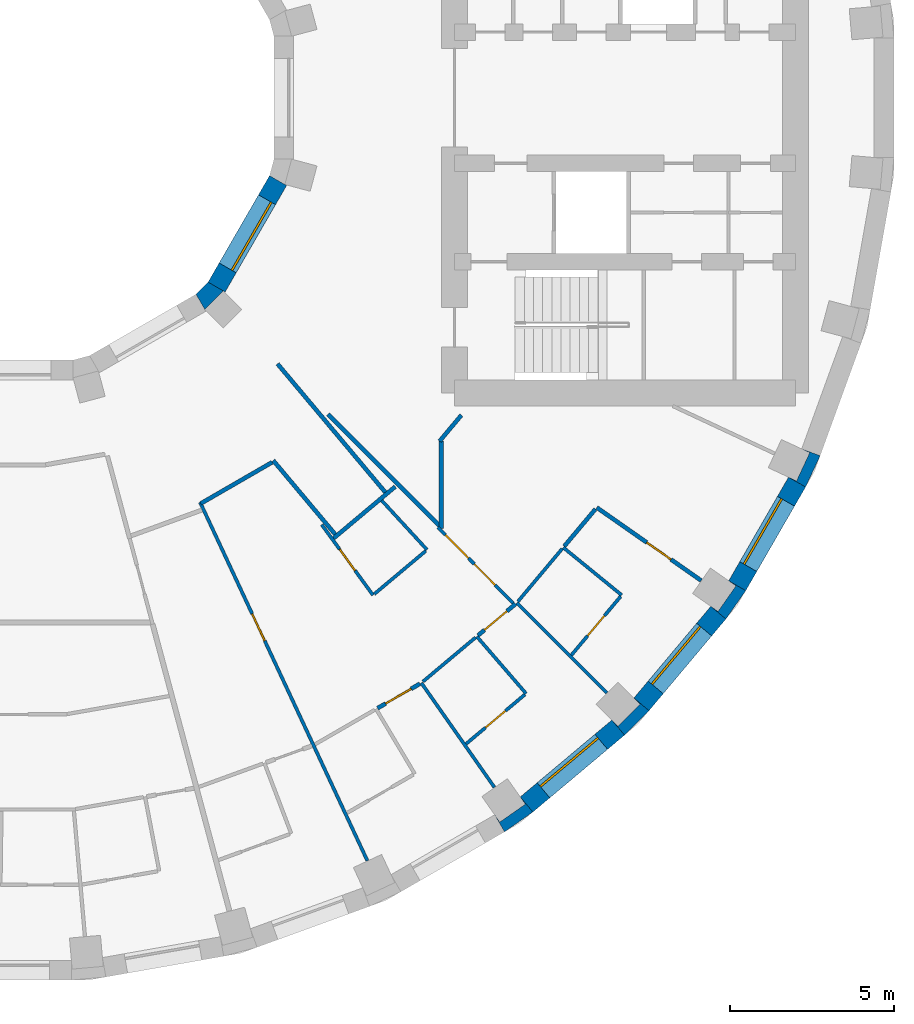
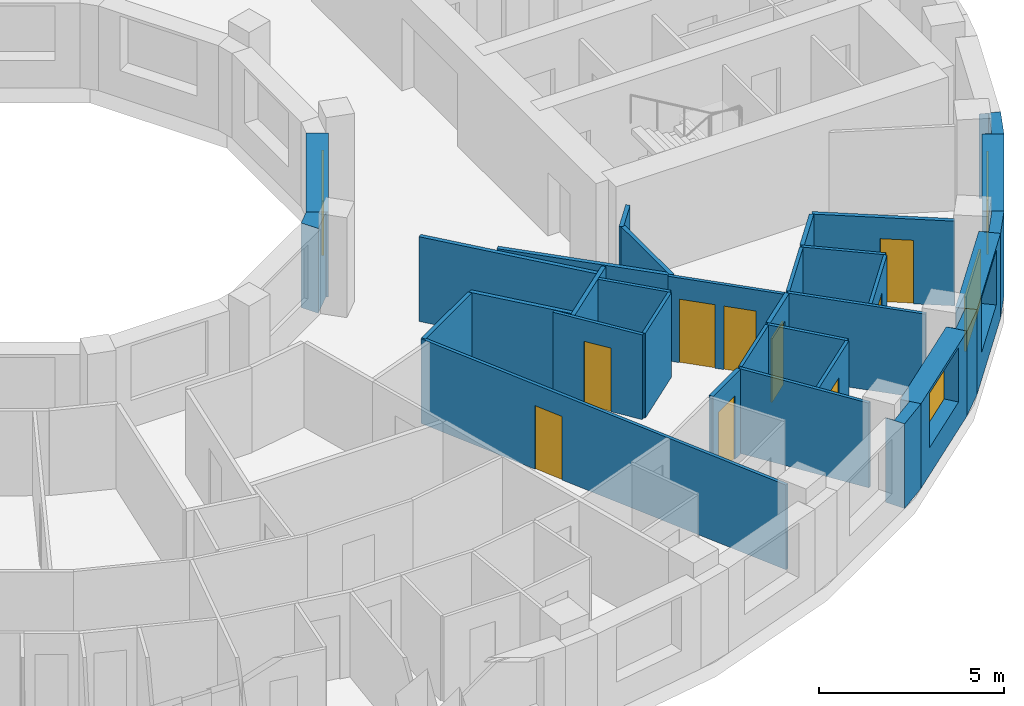
# One storey, part 8 of 16: 33 walls, 9 doors, 4 windows, 13 openings.
"""IFC4 building model written with IfcOpenShell, lengths in metres."""

from ifc_helpers import new_model, si_unit, direction, frame, frame_2d, origin, place, context, subcontext, project, spatial, polyline, rectangle, outline, extrude, material, layer, layer_set, type_object, element, fill, save


model = new_model("IFC4")

# Units and contexts
model_context = context("Model", 3, precision=1e-05, world=origin(), true_north=direction((0.0, 1.0)))
body_context = subcontext(model_context, "Body", "Model", "MODEL_VIEW")
ifc_project = project(units=[si_unit("LENGTHUNIT", "METRE"), si_unit("AREAUNIT", "SQUARE_METRE"), si_unit("VOLUMEUNIT", "CUBIC_METRE"), si_unit("PLANEANGLEUNIT", "RADIAN"), si_unit("MASSUNIT", "GRAM", prefix="KILO")], contexts=[model_context])

# Site, building, storey
site_placement = place(None, origin())
site = spatial("IfcSite", under=ifc_project, at=site_placement, CompositionType="ELEMENT")
building_placement = place(site_placement, origin())
building = spatial("IfcBuilding", under=site, at=building_placement, Name="Saqina Gate Tower", CompositionType="ELEMENT")
storey_placement = place(building_placement, frame((0.0, 0.0, 121.60009765625)))
storey = spatial("IfcBuildingStorey", under=building, at=storey_placement, Name="L34", CompositionType="ELEMENT", Elevation=121.60009765625)

# Walls
ifc_material_1 = material(Name="Brick masonry (buff)", Category="masonry")
wall_type_1 = type_object("IfcWallType", Name="BRICK PIER COPING BUFF", PredefinedType="SOLIDWALL", material=ifc_material_1)
wall_1_placement = place(storey_placement, origin())
element("IfcWall", 1, at=wall_1_placement, inside=storey, type_object=wall_type_1, Name="Pier cap L34 column 31", PredefinedType="SOLIDWALL", context=body_context, shape_type="SweptSolid", body=[
    extrude(outline(polyline([(15.89208984375, -21.77685546875), (15.50634765625, -21.317138671875), (15.66064453125, -21.53759765625), (14.88232421875, -22.08251953125), (14.728271484375, -21.862060546875), (15.0283203125, -22.3818359375), (15.89208984375, -21.77685546875)])), origin(), (0.0, 0.0, 1.0), 2.7998046875),
])
wall_2_placement = place(storey_placement, origin())
element("IfcWall", 2, at=wall_2_placement, inside=storey, type_object=wall_type_1, Name="Pier cap L34 column 32", PredefinedType="SOLIDWALL", context=body_context, shape_type="SweptSolid", body=[
    extrude(outline(polyline([(18.686279296875, -19.43212890625), (19.43212890625, -18.686279296875), (18.972412109375, -18.30078125), (19.16259765625, -18.49072265625), (18.49072265625, -19.16259765625), (18.30078125, -18.972412109375), (18.686279296875, -19.43212890625)])), origin(), (0.0, 0.0, 1.0), 2.7998046875),
])
wall_3_placement = place(storey_placement, origin())
element("IfcWall", 3, at=wall_3_placement, inside=storey, type_object=wall_type_1, Name="Pier cap L34 column 33", PredefinedType="SOLIDWALL", context=body_context, shape_type="SweptSolid", body=[
    extrude(outline(polyline([(22.3818359375, -15.0283203125), (21.862060546875, -14.728271484375), (22.08251953125, -14.88232421875), (21.53759765625, -15.66064453125), (21.317138671875, -15.50634765625), (21.77685546875, -15.89208984375), (22.3818359375, -15.0283203125)])), origin(), (0.0, 0.0, 1.0), 2.7998046875),
])
wall_4_placement = place(storey_placement, origin())
element("IfcWall", 4, at=wall_4_placement, inside=storey, type_object=wall_type_1, Name="Pier cap L34 column 34", PredefinedType="SOLIDWALL", context=body_context, shape_type="SweptSolid", body=[
    extrude(outline(polyline([(24.6513671875, -10.913330078125), (24.08740234375, -10.7080078125), (24.331298828125, -10.82177734375), (23.9296875, -11.6826171875), (23.68603515625, -11.569091796875), (24.205810546875, -11.869140625), (24.6513671875, -10.913330078125)])), origin(), (0.0, 0.0, 1.0), 2.7998046875),
])

# Wall, opening, window
ifc_material_2 = material(Name="Brick masonry (buff)", Category="masonry")
ifc_layer_1 = layer(ifc_material_2, 0.60009765625)
ifc_layer_set_1 = layer_set([ifc_layer_1], Name="FW-BRICK-BUFF")
wall_type_2 = type_object("IfcWallType", Name="FW-BRICK-BUFF", PredefinedType="SOLIDWALL", material=ifc_layer_set_1)
wall_5_placement = place(storey_placement, frame((15.69921875, -21.547119140625, 0.0), z_axis=(0.0, 0.0, 1.0), x_axis=(0.766055462616, 0.642774476932, 0.0)))
wall_5 = element("IfcWall", 5, at=wall_5_placement, inside=storey, type_object=wall_type_2, Name="Facade wall L34 facet 31", PredefinedType="SOLIDWALL", context=body_context, shape_type="SweptSolid", body=[
    extrude(rectangle(XDim=3.647705078125, YDim=0.60009765625, at=frame_2d((1.82373046875, 0.0))), origin(), (0.0, 0.0, 1.0), 2.7998046875),
])
opening_1_placement = place(wall_5_placement, frame((0.673828125, 0.0, 0.89990234375)))
opening_1 = element("IfcOpeningElement", 6, at=opening_1_placement, cuts=wall_5, Name="Opening G10-W20", PredefinedType="OPENING", context=body_context, shape_type="SweptSolid", body=[
    extrude(rectangle(XDim=2.300048828125, YDim=1.800048828125, at=frame_2d((1.14990234375, 0.89990234375))), frame((0.0, 0.31201171875, 0.0), z_axis=(0.0, -1.0, 0.0), x_axis=(1.0, 0.0, 0.0)), (0.0, 0.0, 1.0), 0.6240234375),
])
ifc_material_3 = material(Name="Aluminium glazing", Category="aluminium")
window_type_1 = type_object("IfcWindowType", Name="WN-B", PartitioningType="SINGLE_PANEL", PredefinedType="WINDOW", material=ifc_material_3)
window_1_placement = place(opening_1_placement, origin())
window_1 = element("IfcWindow", 7, at=window_1_placement, inside=storey, type_object=window_type_1, Name="Window L34 facet 31", OverallHeight=1.800048828125, OverallWidth=2.300048828125, PartitioningType="SINGLE_PANEL", PredefinedType="WINDOW", context=body_context, shape_type="SweptSolid", body=[
    extrude(rectangle(XDim=2.300048828125, YDim=1.800048828125, at=frame_2d((1.14990234375, 0.89990234375))), frame((0.0, 0.179931640625, 0.0), z_axis=(0.0, -1.0, 0.0), x_axis=(1.0, 0.0, 0.0)), (0.0, 0.0, 1.0), 0.06005859375),
])
fill(opening_1, window_1)

wall_6_placement = place(storey_placement, frame((19.202392578125, -18.49365234375, 0.0), z_axis=(0.0, 0.0, 1.0), x_axis=(0.642774476932, 0.766055462616, 0.0)))
wall_6 = element("IfcWall", 8, at=wall_6_placement, inside=storey, type_object=wall_type_2, Name="Facade wall L34 facet 32", PredefinedType="SOLIDWALL", context=body_context, shape_type="SweptSolid", body=[
    extrude(rectangle(XDim=3.647705078125, YDim=0.60009765625, at=frame_2d((1.82373046875, 0.0))), origin(), (0.0, 0.0, 1.0), 2.7998046875),
])
opening_2_placement = place(wall_6_placement, frame((0.673828125, 0.0, 0.89990234375)))
opening_2 = element("IfcOpeningElement", 9, at=opening_2_placement, cuts=wall_6, Name="Opening G10-W21", PredefinedType="OPENING", context=body_context, shape_type="SweptSolid", body=[
    extrude(rectangle(XDim=2.300048828125, YDim=1.800048828125, at=frame_2d((1.14990234375, 0.89990234375))), frame((0.0, 0.31201171875, 0.0), z_axis=(0.0, -1.0, 0.0), x_axis=(1.0, 0.0, 0.0)), (0.0, 0.0, 1.0), 0.6240234375),
])
window_2_placement = place(opening_2_placement, origin())
window_2 = element("IfcWindow", 10, at=window_2_placement, inside=storey, type_object=window_type_1, Name="Window L34 facet 32", OverallHeight=1.800048828125, OverallWidth=2.300048828125, PartitioningType="SINGLE_PANEL", PredefinedType="WINDOW", context=body_context, shape_type="SweptSolid", body=[
    extrude(rectangle(XDim=2.300048828125, YDim=1.800048828125, at=frame_2d((1.14990234375, 0.89990234375))), frame((0.0, 0.179931640625, 0.0), z_axis=(0.0, -1.0, 0.0), x_axis=(1.0, 0.0, 0.0)), (0.0, 0.0, 1.0), 0.06005859375),
])
fill(opening_2, window_2)

wall_7_placement = place(storey_placement, frame((22.1220703125, -14.878173828125, 0.0), z_axis=(0.0, 0.0, 1.0), x_axis=(0.499954196102, 0.866051847062, 0.0)))
wall_7 = element("IfcWall", 11, at=wall_7_placement, inside=storey, type_object=wall_type_2, Name="Facade wall L34 facet 33", PredefinedType="SOLIDWALL", context=body_context, shape_type="SweptSolid", body=[
    extrude(rectangle(XDim=3.647705078125, YDim=0.60009765625, at=frame_2d((1.82373046875, 0.0))), origin(), (0.0, 0.0, 1.0), 2.7998046875),
])
opening_3_placement = place(wall_7_placement, frame((0.673828125, 0.0, 0.89990234375)))
opening_3 = element("IfcOpeningElement", 12, at=opening_3_placement, cuts=wall_7, Name="Opening G10-W22", PredefinedType="OPENING", context=body_context, shape_type="SweptSolid", body=[
    extrude(rectangle(XDim=2.300048828125, YDim=1.800048828125, at=frame_2d((1.14990234375, 0.89990234375))), frame((0.0, 0.31201171875, 0.0), z_axis=(0.0, -1.0, 0.0), x_axis=(1.0, 0.0, 0.0)), (0.0, 0.0, 1.0), 0.6240234375),
])
window_3_placement = place(opening_3_placement, origin())
window_3 = element("IfcWindow", 13, at=window_3_placement, inside=storey, type_object=window_type_1, Name="Window L34 facet 33", OverallHeight=1.800048828125, OverallWidth=2.300048828125, PartitioningType="SINGLE_PANEL", PredefinedType="WINDOW", context=body_context, shape_type="SweptSolid", body=[
    extrude(rectangle(XDim=2.300048828125, YDim=1.800048828125, at=frame_2d((1.14990234375, 0.89990234375))), frame((0.0, 0.179931640625, 0.0), z_axis=(0.0, -1.0, 0.0), x_axis=(1.0, 0.0, 0.0)), (0.0, 0.0, 1.0), 0.06005859375),
])
fill(opening_3, window_3)

ifc_material_4 = material(Name="Glazed ceramic tile", Category="ceramic")
ifc_layer_2 = layer(ifc_material_4, 0.60009765625)
ifc_layer_set_2 = layer_set([ifc_layer_2], Name="IW-TILE")
wall_type_3 = type_object("IfcWallType", Name="IW-TILE", PredefinedType="SOLIDWALL", material=ifc_layer_set_2)
wall_8_placement = place(storey_placement, frame((6.251220703125, -5.772705078125, 0.0), z_axis=(0.0, 0.0, 1.0), x_axis=(0.499964958637, 0.86604563398, 0.0)))
wall_8 = element("IfcWall", 14, at=wall_8_placement, inside=storey, type_object=wall_type_3, Name="Well wall L34 facet 11", PredefinedType="SOLIDWALL", context=body_context, shape_type="SweptSolid", body=[
    extrude(rectangle(XDim=3.747314453125, YDim=0.60009765625, at=frame_2d((1.87353515625, 0.0))), origin(), (0.0, 0.0, 1.0), 2.7998046875),
])
opening_4_placement = place(wall_8_placement, frame((0.673583984375, 0.0, 0.89990234375)))
opening_4 = element("IfcOpeningElement", 15, at=opening_4_placement, cuts=wall_8, Name="Opening G10-W33", PredefinedType="OPENING", context=body_context, shape_type="SweptSolid", body=[
    extrude(rectangle(XDim=2.39990234375, YDim=1.800048828125, at=frame_2d((1.199951171875, 0.89990234375))), frame((0.0, 0.31201171875, 0.0), z_axis=(0.0, -1.0, 0.0), x_axis=(1.0, 0.0, 0.0)), (0.0, 0.0, 1.0), 0.6240234375),
])
ifc_material_5 = material(Name="Aluminium glazing", Category="aluminium")
window_type_2 = type_object("IfcWindowType", Name="WN-W", PartitioningType="SINGLE_PANEL", PredefinedType="WINDOW", material=ifc_material_5)
window_4_placement = place(opening_4_placement, origin())
window_4 = element("IfcWindow", 16, at=window_4_placement, inside=storey, type_object=window_type_2, Name="Well window L34 facet 11", OverallHeight=1.800048828125, OverallWidth=2.39990234375, PartitioningType="SINGLE_PANEL", PredefinedType="WINDOW", context=body_context, shape_type="SweptSolid", body=[
    extrude(rectangle(XDim=2.39990234375, YDim=1.800048828125, at=frame_2d((1.199951171875, 0.89990234375))), frame((0.0, -0.119873046875, 0.0), z_axis=(0.0, -1.0, 0.0), x_axis=(1.0, 0.0, 0.0)), (0.0, 0.0, 1.0), 0.06005859375),
])
fill(opening_4, window_4)

# Wall, opening, door
ifc_material_6 = material(Name="Gypsum board on steel studs, 100 mm", Category="steel")
ifc_layer_3 = layer(ifc_material_6, 0.10009765625)
ifc_layer_set_3 = layer_set([ifc_layer_3], Name="PARTITION 100")
wall_type_4 = type_object("IfcWallType", Name="PARTITION 100", PredefinedType="PARTITIONING", material=ifc_layer_set_3)
wall_9_placement = place(storey_placement, frame((5.74609375, -12.331298828125, 0.0), z_axis=(0.0, 0.0, 1.0), x_axis=(0.422888789848, -0.906181588547, 0.0)))
wall_9 = element("IfcWall", 17, at=wall_9_placement, inside=storey, type_object=wall_type_4, Name="PARTITION PW3-12", PredefinedType="PARTITIONING", context=body_context, shape_type="SweptSolid", body=[
    extrude(rectangle(XDim=12.060791015625, YDim=0.10009765625, at=frame_2d((6.0302734375, 0.0))), origin(), (0.0, 0.0, 1.0), 2.7998046875),
])
opening_5_placement = place(wall_9_placement, frame((3.760986328125, 0.0, 0.0)))
opening_5 = element("IfcOpeningElement", 18, at=opening_5_placement, cuts=wall_9, Name="Opening G10-D50", PredefinedType="OPENING", context=body_context, shape_type="SweptSolid", body=[
    extrude(rectangle(XDim=0.89990234375, YDim=2.10009765625, at=frame_2d((0.449951171875, 1.050048828125))), frame((0.0, 0.06201171875, 0.0), z_axis=(0.0, -1.0, 0.0), x_axis=(1.0, 0.0, 0.0)), (0.0, 0.0, 1.0), 0.1240234375),
])
ifc_material_7 = material(Name="Timber door leaf, 900 mm", Category="wood")
door_type_1 = type_object("IfcDoorType", Name="DOOR 900 TIMBER", OperationType="SINGLE_SWING_LEFT", PredefinedType="DOOR", material=ifc_material_7)
door_1_placement = place(opening_5_placement, origin())
door_1 = element("IfcDoor", 19, at=door_1_placement, inside=storey, type_object=door_type_1, Name="DOOR G10-D50", OperationType="SINGLE_SWING_LEFT", OverallHeight=2.10009765625, OverallWidth=0.89990234375, PredefinedType="DOOR", context=body_context, shape_type="SweptSolid", body=[
    extrude(rectangle(XDim=0.89990234375, YDim=2.10009765625, at=frame_2d((0.449951171875, 1.050048828125))), frame((0.0, 0.02490234375, 0.0), z_axis=(0.0, -1.0, 0.0), x_axis=(1.0, 0.0, 0.0)), (0.0, 0.0, 1.0), 0.050048828125),
])
fill(opening_5, door_1)

# Wall
wall_10_placement = place(storey_placement, frame((12.492919921875, -17.841064453125, 0.0), z_axis=(0.0, 0.0, 1.0), x_axis=(0.573453908861, -0.819237825306, 0.0)))
element("IfcWall", 20, at=wall_10_placement, inside=storey, type_object=wall_type_4, Name="PARTITION PW3-19", PredefinedType="PARTITIONING", context=body_context, shape_type="SweptSolid", body=[
    extrude(rectangle(XDim=3.884765625, YDim=0.10009765625, at=frame_2d((1.9423828125, 0.0))), origin(), (0.0, 0.0, 1.0), 2.7998046875),
])

# Wall, opening, door
wall_11_placement = place(storey_placement, frame((9.45703125, -13.01806640625, 0.0), z_axis=(0.0, 0.0, 1.0), x_axis=(0.588073257703, -0.808807667851, 0.0)))
wall_11 = element("IfcWall", 21, at=wall_11_placement, inside=storey, type_object=wall_type_4, Name="PARTITION PW3-20", PredefinedType="PARTITIONING", context=body_context, shape_type="SweptSolid", body=[
    extrude(rectangle(XDim=2.654541015625, YDim=0.10009765625, at=frame_2d((1.3271484375, 0.0))), origin(), (0.0, 0.0, 1.0), 2.7998046875),
])
opening_6_placement = place(wall_11_placement, frame((0.92724609375, 0.0, 0.0)))
opening_6 = element("IfcOpeningElement", 22, at=opening_6_placement, cuts=wall_11, Name="Opening G10-D53", PredefinedType="OPENING", context=body_context, shape_type="SweptSolid", body=[
    extrude(rectangle(XDim=0.800048828125, YDim=2.10009765625, at=frame_2d((0.39990234375, 1.050048828125))), frame((0.0, 0.06201171875, 0.0), z_axis=(0.0, -1.0, 0.0), x_axis=(1.0, 0.0, 0.0)), (0.0, 0.0, 1.0), 0.1240234375),
])
ifc_material_8 = material(Name="Timber door leaf, 800 mm", Category="wood")
door_type_2 = type_object("IfcDoorType", Name="DOOR 800 TIMBER", OperationType="SINGLE_SWING_LEFT", PredefinedType="DOOR", material=ifc_material_8)
door_2_placement = place(opening_6_placement, frame((0.800048828125, 0.0, 0.0), z_axis=(0.0, 0.0, 1.0), x_axis=(-1.0, 0.0, 0.0)))
door_2 = element("IfcDoor", 23, at=door_2_placement, inside=storey, type_object=door_type_2, Name="DOOR G10-D53", OperationType="SINGLE_SWING_RIGHT", OverallHeight=2.10009765625, OverallWidth=0.800048828125, PredefinedType="DOOR", context=body_context, shape_type="SweptSolid", body=[
    extrude(rectangle(XDim=0.800048828125, YDim=2.10009765625, at=frame_2d((0.39990234375, 1.050048828125))), frame((0.0, 0.02490234375, 0.0), z_axis=(0.0, -1.0, 0.0), x_axis=(1.0, 0.0, 0.0)), (0.0, 0.0, 1.0), 0.050048828125),
])
fill(opening_6, door_2)

# Walls
wall_12_placement = place(storey_placement, frame((14.181884765625, -16.424072265625, 0.0), z_axis=(0.0, 0.0, 1.0), x_axis=(0.653523142882, -0.756906534334, 0.0)))
element("IfcWall", 24, at=wall_12_placement, inside=storey, type_object=wall_type_4, Name="PARTITION PW3-23", PredefinedType="PARTITIONING", context=body_context, shape_type="SweptSolid", body=[
    extrude(rectangle(XDim=2.300048828125, YDim=0.10009765625, at=frame_2d((1.14990234375, 0.0))), origin(), (0.0, 0.0, 1.0), 2.7998046875),
])
wall_13_placement = place(storey_placement, frame((11.286376953125, -12.281005859375, 0.0), z_axis=(0.0, 0.0, 1.0), x_axis=(0.676742772151, -0.736219546291, 0.0)))
element("IfcWall", 25, at=wall_13_placement, inside=storey, type_object=wall_type_4, Name="PARTITION PW3-24", PredefinedType="PARTITIONING", context=body_context, shape_type="SweptSolid", body=[
    extrude(rectangle(XDim=2.0400390625, YDim=0.10009765625, at=frame_2d((1.02001953125, 0.0))), origin(), (0.0, 0.0, 1.0), 2.7998046875),
])

# Wall, openings, doors
wall_14_placement = place(storey_placement, frame((13.00048828125, -13.1015625, 0.0), z_axis=(0.0, 0.0, 1.0), x_axis=(0.704550545607, -0.70965380904, 0.0)))
wall_14 = element("IfcWall", 26, at=wall_14_placement, inside=storey, type_object=wall_type_4, Name="PARTITION PW3-25", PredefinedType="PARTITIONING", context=body_context, shape_type="SweptSolid", body=[
    extrude(rectangle(XDim=3.253173828125, YDim=0.10009765625, at=frame_2d((1.62646484375, 0.0))), origin(), (0.0, 0.0, 1.0), 2.7998046875),
])
opening_7_placement = place(wall_14_placement, frame((0.3203125, 0.0, 0.0)))
opening_7 = element("IfcOpeningElement", 27, at=opening_7_placement, cuts=wall_14, Name="Opening G10-D56", PredefinedType="OPENING", context=body_context, shape_type="SweptSolid", body=[
    extrude(rectangle(XDim=1.0, YDim=2.10009765625, at=frame_2d((0.5, 1.050048828125))), frame((0.0, 0.06201171875, 0.0), z_axis=(0.0, -1.0, 0.0), x_axis=(1.0, 0.0, 0.0)), (0.0, 0.0, 1.0), 0.1240234375),
])
opening_8_placement = place(wall_14_placement, frame((1.5703125, 0.0, 0.0)))
opening_8 = element("IfcOpeningElement", 28, at=opening_8_placement, cuts=wall_14, Name="Opening G10-D57", PredefinedType="OPENING", context=body_context, shape_type="SweptSolid", body=[
    extrude(rectangle(XDim=0.89990234375, YDim=2.10009765625, at=frame_2d((0.449951171875, 1.050048828125))), frame((0.0, 0.06201171875, 0.0), z_axis=(0.0, -1.0, 0.0), x_axis=(1.0, 0.0, 0.0)), (0.0, 0.0, 1.0), 0.1240234375),
])
ifc_material_9 = material(Name="Timber door leaf, 1000 mm", Category="wood")
door_type_3 = type_object("IfcDoorType", Name="DOOR 1000 TIMBER", OperationType="SINGLE_SWING_LEFT", PredefinedType="DOOR", material=ifc_material_9)
door_3_placement = place(opening_7_placement, origin())
door_3 = element("IfcDoor", 29, at=door_3_placement, inside=storey, type_object=door_type_3, Name="DOOR G10-D56", OperationType="SINGLE_SWING_LEFT", OverallHeight=2.10009765625, OverallWidth=1.0, PredefinedType="DOOR", context=body_context, shape_type="SweptSolid", body=[
    extrude(rectangle(XDim=1.0, YDim=2.10009765625, at=frame_2d((0.5, 1.050048828125))), frame((0.0, 0.02490234375, 0.0), z_axis=(0.0, -1.0, 0.0), x_axis=(1.0, 0.0, 0.0)), (0.0, 0.0, 1.0), 0.050048828125),
])
fill(opening_7, door_3)
door_4_placement = place(opening_8_placement, origin())
door_4 = element("IfcDoor", 30, at=door_4_placement, inside=storey, type_object=door_type_1, Name="DOOR G10-D57", OperationType="SINGLE_SWING_RIGHT", OverallHeight=2.10009765625, OverallWidth=0.89990234375, PredefinedType="DOOR", context=body_context, shape_type="SweptSolid", body=[
    extrude(rectangle(XDim=0.89990234375, YDim=2.10009765625, at=frame_2d((0.449951171875, 1.050048828125))), frame((0.0, 0.02490234375, 0.0), z_axis=(0.0, -1.0, 0.0), x_axis=(1.0, 0.0, 0.0)), (0.0, 0.0, 1.0), 0.050048828125),
])
fill(opening_8, door_4)

# Walls
wall_15_placement = place(storey_placement, frame((15.40087890625, -15.40087890625, 0.0), z_axis=(0.0, 0.0, 1.0), x_axis=(0.707106781187, -0.707106781187, 0.0)))
element("IfcWall", 31, at=wall_15_placement, inside=storey, type_object=wall_type_4, Name="PARTITION PW3-27", PredefinedType="PARTITIONING", context=body_context, shape_type="SweptSolid", body=[
    extrude(rectangle(XDim=3.885009765625, YDim=0.10009765625, at=frame_2d((1.9423828125, 0.0))), origin(), (0.0, 0.0, 1.0), 2.7998046875),
])
wall_16_placement = place(storey_placement, frame((16.818115234375, -13.7119140625, 0.0), z_axis=(0.0, 0.0, 1.0), x_axis=(0.775161826575, -0.63176272652, 0.0)))
element("IfcWall", 32, at=wall_16_placement, inside=storey, type_object=wall_type_4, Name="PARTITION PW3-31", PredefinedType="PARTITIONING", context=body_context, shape_type="SweptSolid", body=[
    extrude(rectangle(XDim=2.300048828125, YDim=0.10009765625, at=frame_2d((1.14990234375, 0.0))), origin(), (0.0, 0.0, 1.0), 2.7998046875),
])

# Wall, opening, door
wall_17_placement = place(storey_placement, frame((13.855224609375, -19.699951171875, 0.0), z_axis=(0.0, 0.0, 1.0), x_axis=(0.76611194323, 0.642707157608, 0.0)))
wall_17 = element("IfcWall", 33, at=wall_17_placement, inside=storey, type_object=wall_type_4, Name="PARTITION PW3-77", PredefinedType="PARTITIONING", context=body_context, shape_type="SweptSolid", body=[
    extrude(rectangle(XDim=2.33837890625, YDim=0.10009765625, at=frame_2d((1.169189453125, 0.0))), origin(), (0.0, 0.0, 1.0), 2.7998046875),
])
opening_9_placement = place(wall_17_placement, frame((0.76904296875, 0.0, 0.0)))
opening_9 = element("IfcOpeningElement", 34, at=opening_9_placement, cuts=wall_17, Name="Opening G10-D54", PredefinedType="OPENING", context=body_context, shape_type="SweptSolid", body=[
    extrude(rectangle(XDim=0.800048828125, YDim=2.10009765625, at=frame_2d((0.39990234375, 1.050048828125))), frame((0.0, 0.06201171875, 0.0), z_axis=(0.0, -1.0, 0.0), x_axis=(1.0, 0.0, 0.0)), (0.0, 0.0, 1.0), 0.1240234375),
])
door_5_placement = place(opening_9_placement, frame((0.800048828125, 0.0, 0.0), z_axis=(0.0, 0.0, 1.0), x_axis=(-1.0, 0.0, 0.0)))
door_5 = element("IfcDoor", 35, at=door_5_placement, inside=storey, type_object=door_type_2, Name="DOOR G10-D54", OperationType="SINGLE_SWING_RIGHT", OverallHeight=2.10009765625, OverallWidth=0.800048828125, PredefinedType="DOOR", context=body_context, shape_type="SweptSolid", body=[
    extrude(rectangle(XDim=0.800048828125, YDim=2.10009765625, at=frame_2d((0.39990234375, 1.050048828125))), frame((0.0, 0.02490234375, 0.0), z_axis=(0.0, -1.0, 0.0), x_axis=(1.0, 0.0, 0.0)), (0.0, 0.0, 1.0), 0.050048828125),
])
fill(opening_9, door_5)

# Walls
wall_18_placement = place(storey_placement, frame((12.540771484375, -17.80078125, 0.0), z_axis=(0.0, 0.0, 1.0), x_axis=(0.766132236748, 0.6426829668, 0.0)))
element("IfcWall", 36, at=wall_18_placement, inside=storey, type_object=wall_type_4, Name="PARTITION PW3-78", PredefinedType="PARTITIONING", context=body_context, shape_type="SweptSolid", body=[
    extrude(rectangle(XDim=2.09228515625, YDim=0.10009765625, at=frame_2d((1.046142578125, 0.0))), origin(), (0.0, 0.0, 1.0), 2.7998046875),
])
wall_19_placement = place(storey_placement, frame((11.056396484375, -15.1328125, 0.0), z_axis=(0.0, 0.0, 1.0), x_axis=(0.766442887367, 0.642312463217, 0.0)))
element("IfcWall", 37, at=wall_19_placement, inside=storey, type_object=wall_type_4, Name="PARTITION PW3-79", PredefinedType="PARTITIONING", context=body_context, shape_type="SweptSolid", body=[
    extrude(rectangle(XDim=2.05126953125, YDim=0.10009765625, at=frame_2d((1.025634765625, 0.0))), origin(), (0.0, 0.0, 1.0), 2.7998046875),
])

# Wall, opening, door
wall_20_placement = place(storey_placement, frame((17.065185546875, -16.99462890625, 0.0), z_axis=(0.0, 0.0, 1.0), x_axis=(0.642942337124, 0.765914584751, 0.0)))
wall_20 = element("IfcWall", 38, at=wall_20_placement, inside=storey, type_object=wall_type_4, Name="PARTITION PW3-84", PredefinedType="PARTITIONING", context=body_context, shape_type="SweptSolid", body=[
    extrude(rectangle(XDim=2.338623046875, YDim=0.10009765625, at=frame_2d((1.16943359375, 0.0))), origin(), (0.0, 0.0, 1.0), 2.7998046875),
])
opening_10_placement = place(wall_20_placement, frame((0.769287109375, 0.0, 0.0)))
opening_10 = element("IfcOpeningElement", 39, at=opening_10_placement, cuts=wall_20, Name="Opening G10-D58", PredefinedType="OPENING", context=body_context, shape_type="SweptSolid", body=[
    extrude(rectangle(XDim=0.800048828125, YDim=2.10009765625, at=frame_2d((0.39990234375, 1.050048828125))), frame((0.0, 0.06201171875, 0.0), z_axis=(0.0, -1.0, 0.0), x_axis=(1.0, 0.0, 0.0)), (0.0, 0.0, 1.0), 0.1240234375),
])
door_6_placement = place(opening_10_placement, frame((0.800048828125, 0.0, 0.0), z_axis=(0.0, 0.0, 1.0), x_axis=(-1.0, 0.0, 0.0)))
door_6 = element("IfcDoor", 40, at=door_6_placement, inside=storey, type_object=door_type_2, Name="DOOR G10-D58", OperationType="SINGLE_SWING_RIGHT", OverallHeight=2.10009765625, OverallWidth=0.800048828125, PredefinedType="DOOR", context=body_context, shape_type="SweptSolid", body=[
    extrude(rectangle(XDim=0.800048828125, YDim=2.10009765625, at=frame_2d((0.39990234375, 1.050048828125))), frame((0.0, 0.02490234375, 0.0), z_axis=(0.0, -1.0, 0.0), x_axis=(1.0, 0.0, 0.0)), (0.0, 0.0, 1.0), 0.050048828125),
])
fill(opening_10, door_6)

# Walls
wall_21_placement = place(storey_placement, frame((15.43408203125, -15.36181640625, 0.0), z_axis=(0.0, 0.0, 1.0), x_axis=(0.642658417854, 0.766152829376, 0.0)))
element("IfcWall", 41, at=wall_21_placement, inside=storey, type_object=wall_type_4, Name="PARTITION PW3-85", PredefinedType="PARTITIONING", context=body_context, shape_type="SweptSolid", body=[
    extrude(rectangle(XDim=2.103515625, YDim=0.10009765625, at=frame_2d((1.0517578125, 0.0))), origin(), (0.0, 0.0, 1.0), 2.7998046875),
])
ifc_material_10 = material(Name="Gypsum board on steel studs, 125 mm, fire rated", Category="steel")
ifc_layer_4 = layer(ifc_material_10, 0.125)
ifc_layer_set_4 = layer_set([ifc_layer_4], Name="PARTITION EI 30 125")
wall_type_5 = type_object("IfcWallType", Name="PARTITION EI 30 125", PredefinedType="PARTITIONING", material=ifc_layer_set_4)
wall_22_placement = place(storey_placement, frame((7.97705078125, -11.05908203125, 0.0), z_axis=(0.0, 0.0, 1.0), x_axis=(0.642755449711, -0.766071427393, 0.0)))
element("IfcWall", 42, at=wall_22_placement, inside=storey, type_object=wall_type_5, Name="PARTITION PW1-06", PredefinedType="PARTITIONING", context=body_context, shape_type="SweptSolid", body=[
    extrude(rectangle(XDim=2.93798828125, YDim=0.125, at=frame_2d((1.468994140625, 0.0))), origin(), (0.0, 0.0, 1.0), 2.7998046875),
])
wall_23_placement = place(storey_placement, frame((8.10888671875, -8.114990234375, 0.0), z_axis=(0.0, 0.0, 1.0), x_axis=(0.642822182591, -0.766015431678, 0.0)))
element("IfcWall", 43, at=wall_23_placement, inside=storey, type_object=wall_type_5, Name="PARTITION PW1-07", PredefinedType="PARTITIONING", context=body_context, shape_type="SweptSolid", body=[
    extrude(rectangle(XDim=5.10888671875, YDim=0.125, at=frame_2d((2.554443359375, 0.0))), origin(), (0.0, 0.0, 1.0), 2.7998046875),
])
wall_24_placement = place(storey_placement, frame((9.651123046875, -9.65283203125, 0.0), z_axis=(0.0, 0.0, 1.0), x_axis=(0.707386044222, -0.706827407816, 0.0)))
element("IfcWall", 44, at=wall_24_placement, inside=storey, type_object=wall_type_5, Name="PARTITION PW1-09", PredefinedType="PARTITIONING", context=body_context, shape_type="SweptSolid", body=[
    extrude(rectangle(XDim=4.807373046875, YDim=0.125, at=frame_2d((2.40380859375, 0.0))), origin(), (0.0, 0.0, 1.0), 2.7998046875),
])

# Wall, opening, door
wall_25_placement = place(storey_placement, frame((17.840576171875, -12.49365234375, 0.0), z_axis=(0.0, 0.0, 1.0), x_axis=(0.819367709334, -0.573268311439, 0.0)))
wall_25 = element("IfcWall", 45, at=wall_25_placement, inside=storey, type_object=wall_type_5, Name="PARTITION PW1-14", PredefinedType="PARTITIONING", context=body_context, shape_type="SweptSolid", body=[
    extrude(rectangle(XDim=3.884765625, YDim=0.125, at=frame_2d((1.9423828125, 0.0))), origin(), (0.0, 0.0, 1.0), 2.7998046875),
])
opening_11_placement = place(wall_25_placement, frame((1.859619140625, 0.0, 0.0)))
opening_11 = element("IfcOpeningElement", 46, at=opening_11_placement, cuts=wall_25, Name="Opening G10-D59", PredefinedType="OPENING", context=body_context, shape_type="SweptSolid", body=[
    extrude(rectangle(XDim=0.89990234375, YDim=2.10009765625, at=frame_2d((0.449951171875, 1.050048828125))), frame((0.0, 0.074462890625, 0.0), z_axis=(0.0, -1.0, 0.0), x_axis=(1.0, 0.0, 0.0)), (0.0, 0.0, 1.0), 0.14892578125),
])
ifc_material_11 = material(Name="Fire door leaf EI 30, 900 mm")
door_type_4 = type_object("IfcDoorType", Name="DOOR 900 EI 30", OperationType="SINGLE_SWING_LEFT", PredefinedType="DOOR", material=ifc_material_11)
door_7_placement = place(opening_11_placement, origin())
door_7 = element("IfcDoor", 47, at=door_7_placement, inside=storey, type_object=door_type_4, Name="DOOR G10-D59", OperationType="SINGLE_SWING_RIGHT", OverallHeight=2.10009765625, OverallWidth=0.89990234375, PredefinedType="DOOR", context=body_context, shape_type="SweptSolid", body=[
    extrude(rectangle(XDim=0.89990234375, YDim=2.10009765625, at=frame_2d((0.449951171875, 1.050048828125))), frame((0.0, 0.02490234375, 0.0), z_axis=(0.0, -1.0, 0.0), x_axis=(1.0, 0.0, 0.0)), (0.0, 0.0, 1.0), 0.050048828125),
])
fill(opening_11, door_7)

wall_26_placement = place(storey_placement, frame((11.1572265625, -18.612060546875, 0.0), z_axis=(0.0, 0.0, 1.0), x_axis=(0.866060276884, 0.499939593154, 0.0)))
wall_26 = element("IfcWall", 48, at=wall_26_placement, inside=storey, type_object=wall_type_5, Name="PARTITION PW1-39", PredefinedType="PARTITIONING", context=body_context, shape_type="SweptSolid", body=[
    extrude(rectangle(XDim=1.492431640625, YDim=0.125, at=frame_2d((0.74609375, 0.0))), origin(), (0.0, 0.0, 1.0), 2.7998046875),
])
opening_12_placement = place(wall_26_placement, frame((0.282958984375, 0.0, 0.0)))
opening_12 = element("IfcOpeningElement", 49, at=opening_12_placement, cuts=wall_26, Name="Opening G10-D52", PredefinedType="OPENING", context=body_context, shape_type="SweptSolid", body=[
    extrude(rectangle(XDim=0.89990234375, YDim=2.10009765625, at=frame_2d((0.449951171875, 1.050048828125))), frame((0.0, 0.074462890625, 0.0), z_axis=(0.0, -1.0, 0.0), x_axis=(1.0, 0.0, 0.0)), (0.0, 0.0, 1.0), 0.14892578125),
])
door_8_placement = place(opening_12_placement, origin())
door_8 = element("IfcDoor", 50, at=door_8_placement, inside=storey, type_object=door_type_4, Name="DOOR G10-D52", OperationType="SINGLE_SWING_RIGHT", OverallHeight=2.10009765625, OverallWidth=0.89990234375, PredefinedType="DOOR", context=body_context, shape_type="SweptSolid", body=[
    extrude(rectangle(XDim=0.89990234375, YDim=2.10009765625, at=frame_2d((0.449951171875, 1.050048828125))), frame((0.0, 0.02490234375, 0.0), z_axis=(0.0, -1.0, 0.0), x_axis=(1.0, 0.0, 0.0)), (0.0, 0.0, 1.0), 0.050048828125),
])
fill(opening_12, door_8)

# Wall
wall_27_placement = place(storey_placement, frame((5.76904296875, -12.37109375, 0.0), z_axis=(0.0, 0.0, 1.0), x_axis=(0.865838856669, 0.500322969973, 0.0)))
element("IfcWall", 51, at=wall_27_placement, inside=storey, type_object=wall_type_5, Name="PARTITION PW1-40", PredefinedType="PARTITIONING", context=body_context, shape_type="SweptSolid", body=[
    extrude(rectangle(XDim=2.510009765625, YDim=0.125, at=frame_2d((1.2548828125, 0.0))), origin(), (0.0, 0.0, 1.0), 2.7998046875),
])

# Wall, opening, door
wall_28_placement = place(storey_placement, frame((14.22021484375, -16.391845703125, 0.0), z_axis=(0.0, 0.0, 1.0), x_axis=(0.765994359698, 0.642847292062, 0.0)))
wall_28 = element("IfcWall", 52, at=wall_28_placement, inside=storey, type_object=wall_type_5, Name="PARTITION PW1-44", PredefinedType="PARTITIONING", context=body_context, shape_type="SweptSolid", body=[
    extrude(rectangle(XDim=1.494873046875, YDim=0.125, at=frame_2d((0.74755859375, 0.0))), origin(), (0.0, 0.0, 1.0), 2.7998046875),
])
opening_13_placement = place(wall_28_placement, frame((0.25341796875, 0.0, 0.0)))
opening_13 = element("IfcOpeningElement", 53, at=opening_13_placement, cuts=wall_28, Name="Opening G10-D55", PredefinedType="OPENING", context=body_context, shape_type="SweptSolid", body=[
    extrude(rectangle(XDim=0.89990234375, YDim=2.10009765625, at=frame_2d((0.449951171875, 1.050048828125))), frame((0.0, 0.074462890625, 0.0), z_axis=(0.0, -1.0, 0.0), x_axis=(1.0, 0.0, 0.0)), (0.0, 0.0, 1.0), 0.14892578125),
])
door_9_placement = place(opening_13_placement, origin())
door_9 = element("IfcDoor", 54, at=door_9_placement, inside=storey, type_object=door_type_4, Name="DOOR G10-D55", OperationType="SINGLE_SWING_RIGHT", OverallHeight=2.10009765625, OverallWidth=0.89990234375, PredefinedType="DOOR", context=body_context, shape_type="SweptSolid", body=[
    extrude(rectangle(XDim=0.89990234375, YDim=2.10009765625, at=frame_2d((0.449951171875, 1.050048828125))), frame((0.0, 0.02490234375, 0.0), z_axis=(0.0, -1.0, 0.0), x_axis=(1.0, 0.0, 0.0)), (0.0, 0.0, 1.0), 0.050048828125),
])
fill(opening_13, door_9)

# Walls
wall_29_placement = place(storey_placement, frame((9.81884765625, -13.430419921875, 0.0), z_axis=(0.0, 0.0, 1.0), x_axis=(0.76617412247, 0.642633032186, 0.0)))
element("IfcWall", 55, at=wall_29_placement, inside=storey, type_object=wall_type_5, Name="PARTITION PW1-45", PredefinedType="PARTITIONING", context=body_context, shape_type="SweptSolid", body=[
    extrude(rectangle(XDim=2.448486328125, YDim=0.125, at=frame_2d((1.22412109375, 0.0))), origin(), (0.0, 0.0, 1.0), 2.7998046875),
])
wall_30_placement = place(storey_placement, frame((16.85009765625, -13.673583984375, 0.0), z_axis=(0.0, 0.0, 1.0), x_axis=(0.642897241511, 0.765952437725, 0.0)))
element("IfcWall", 56, at=wall_30_placement, inside=storey, type_object=wall_type_5, Name="PARTITION PW1-50", PredefinedType="PARTITIONING", context=body_context, shape_type="SweptSolid", body=[
    extrude(rectangle(XDim=1.47607421875, YDim=0.125, at=frame_2d((0.738037109375, 0.0))), origin(), (0.0, 0.0, 1.0), 2.7998046875),
])
wall_31_placement = place(storey_placement, frame((13.04833984375, -10.470458984375, 0.0), z_axis=(0.0, 0.0, 1.0), x_axis=(0.642549676363, 0.766244029932, 0.0)))
element("IfcWall", 57, at=wall_31_placement, inside=storey, type_object=wall_type_5, Name="PARTITION PW1-51", PredefinedType="PARTITIONING", context=body_context, shape_type="SweptSolid", body=[
    extrude(rectangle(XDim=1.0341796875, YDim=0.125, at=frame_2d((0.51708984375, 0.0))), origin(), (0.0, 0.0, 1.0), 2.7998046875),
])
wall_32_placement = place(storey_placement, frame((13.10009765625, -13.130615234375, 0.0), z_axis=(0.0, 0.0, 1.0), x_axis=(0.0, 1.0, 0.0)))
element("IfcWall", 58, at=wall_32_placement, inside=storey, type_object=wall_type_5, Name="PARTITION PW1-58", PredefinedType="PARTITIONING", context=body_context, shape_type="SweptSolid", body=[
    extrude(rectangle(XDim=2.66015625, YDim=0.125, at=frame_2d((1.330078125, 0.0))), origin(), (0.0, 0.0, 1.0), 2.7998046875),
])
ifc_material_12 = material(Name="Glazed ceramic tile", Category="ceramic")
wall_type_6 = type_object("IfcWallType", Name="TILE PIER COPING", PredefinedType="SOLIDWALL", material=ifc_material_12)
wall_33_placement = place(storey_placement, origin())
element("IfcWall", 59, at=wall_33_placement, inside=storey, type_object=wall_type_6, Name="Well pier cap L34 column 11", PredefinedType="SOLIDWALL", context=body_context, shape_type="SweptSolid", body=[
    extrude(outline(polyline([(5.891845703125, -6.45751953125), (6.45751953125, -5.891845703125), (5.991455078125, -5.622802734375), (5.622802734375, -5.991455078125), (5.891845703125, -6.45751953125)])), origin(), (0.0, 0.0, 1.0), 2.7998046875),
])

save(model, "model.ifc")
